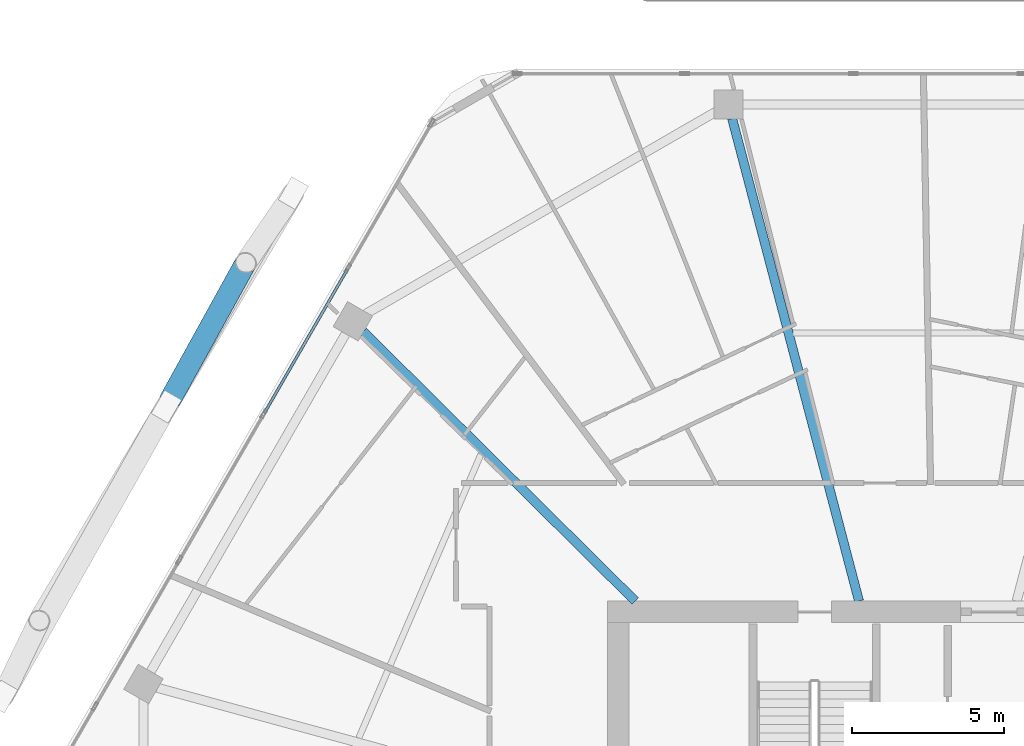
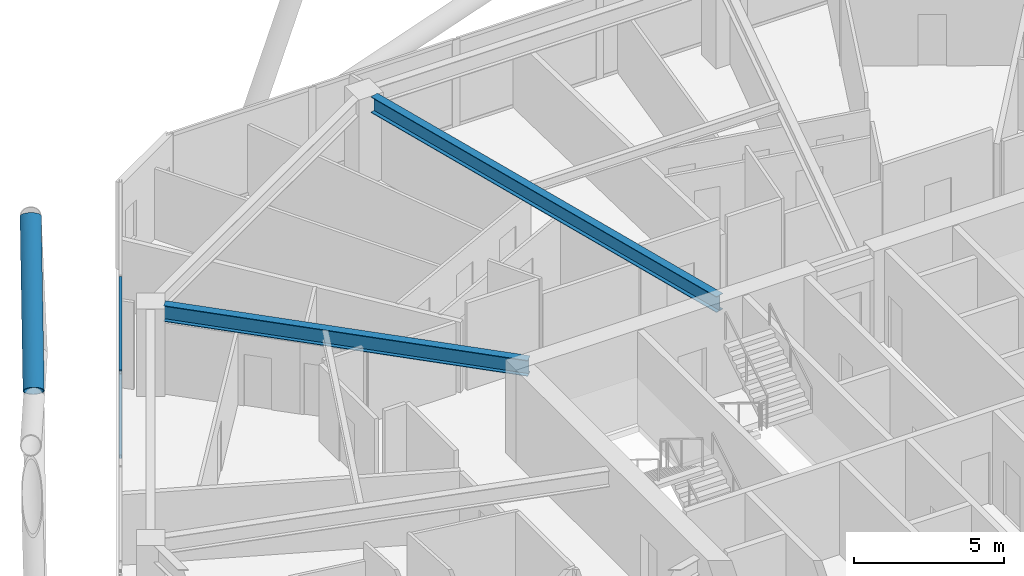
# One storey, part 12 of 29: 3 members, 2 beams, 1 element without a shape of its own.
"""IFC4 building model written with IfcOpenShell, lengths in metres."""

from ifc_helpers import new_model, si_unit, direction, frame, origin, origin_2d, place, context, subcontext, project, spatial, hollow_rectangle, hollow_circle, i_section, extrude, material, material_profile, profile_set, type_object, element, aggregate, save


model = new_model("IFC4")

# Units and contexts
model_context = context("Model", 3, precision=1e-05, world=origin(), true_north=direction((0.0, 1.0)))
body_context = subcontext(model_context, "Body", "Model", "MODEL_VIEW")
ifc_project = project(units=[si_unit("LENGTHUNIT", "METRE"), si_unit("AREAUNIT", "SQUARE_METRE"), si_unit("VOLUMEUNIT", "CUBIC_METRE"), si_unit("PLANEANGLEUNIT", "RADIAN"), si_unit("MASSUNIT", "GRAM", prefix="KILO")], contexts=[model_context])

# Site, building, storey
site_placement = place(None, origin())
site = spatial("IfcSite", under=ifc_project, at=site_placement, CompositionType="ELEMENT")
building_placement = place(site_placement, origin())
building = spatial("IfcBuilding", under=site, at=building_placement, Name="Zuhravey Tower", CompositionType="ELEMENT")
storey_placement = place(building_placement, frame((0.0, 0.0, 192.199951171875)))
storey = spatial("IfcBuildingStorey", under=building, at=storey_placement, Name="L48", CompositionType="ELEMENT", Elevation=192.199951171875)

# Curtain wall, members
ifc_material_1 = material(Name="Thermally broken anodised aluminium", Category="aluminium")
curtain_wall_type = type_object("IfcCurtainWallType", Name="Zone 1-2 Residential Curtain Wall CW3", PredefinedType="NOTDEFINED", material=ifc_material_1)
curtain_wall_placement = place(storey_placement, origin())
curtain_wall = element("IfcCurtainWall", 1, at=curtain_wall_placement, inside=storey, type_object=curtain_wall_type, Name="L48 CW3 CW-L48-F3-1", PredefinedType="NOTDEFINED")
ifc_material_2 = material(Name="Anodised aluminium", Category="aluminium")
ifc_material_profile_1 = material_profile(ifc_material_2, hollow_rectangle(XDim=0.090087890625, YDim=0.14990234375, WallThickness=0.0048828125, at=origin_2d()), Name="ALU-RHS-90x150x5")
ifc_profile_set_1 = profile_set([ifc_material_profile_1], Name="Anodised aluminium")
member_type_1 = type_object("IfcMemberType", Name="Curtain-Wall Transom 90x150", PredefinedType="USERDEFINED", material=ifc_profile_set_1)
member_1_placement = place(storey_placement, frame((13.867431640625, 48.03125, 0.045166015625), z_axis=(0.49996138257, 0.86604769842, 0.0), x_axis=(-0.86604769842, 0.49996138257, 0.0)))
member_1 = element("IfcMember", 2, at=member_1_placement, type_object=member_type_1, Name="CW3 transom 4.1", ObjectType="TRANSOM", PredefinedType="USERDEFINED", context=body_context, shape_type="SweptSolid", body=[
    extrude(hollow_rectangle(XDim=0.090087890625, YDim=0.14990234375, WallThickness=0.0048828125, at=origin_2d()), origin(), (0.0, 0.0, 1.0), 5.45458984375),
])
member_2_placement = place(storey_placement, frame((13.867431640625, 48.03125, 3.505126953125), z_axis=(0.49996138257, 0.86604769842, 0.0), x_axis=(-0.86604769842, 0.49996138257, 0.0)))
member_2 = element("IfcMember", 3, at=member_2_placement, type_object=member_type_1, Name="CW3 transom 4.2", ObjectType="TRANSOM", PredefinedType="USERDEFINED", context=body_context, shape_type="SweptSolid", body=[
    extrude(hollow_rectangle(XDim=0.090087890625, YDim=0.14990234375, WallThickness=0.0048828125, at=origin_2d()), origin(), (0.0, 0.0, 1.0), 5.45458984375),
])
aggregate(curtain_wall, [member_1, member_2])

# Member
ifc_material_3 = material(Name="Steel SM460", Category="steel")
ifc_material_profile_2 = material_profile(ifc_material_3, hollow_circle(Radius=0.355712890625, WallThickness=0.031982421875, at=origin_2d()), Name="CHS-711.2x32")
ifc_profile_set_2 = profile_set([ifc_material_profile_2], Name="Steel SM460")
member_type_2 = type_object("IfcMemberType", Name="Exoskeleton Zone 2 Diagrid CHS711x32", PredefinedType="BRACE", material=ifc_profile_set_2)
member_3_placement = place(storey_placement, frame((10.781494140625, 48.487548828125, 3.534912109375), z_axis=(0.394923124563, 0.715849795564, 0.57584268327), x_axis=(-0.875592421494, 0.483050630289, 0.0)))
element("IfcMember", 4, at=member_3_placement, inside=storey, type_object=member_type_2, Name="L48 Face 3 Split Diagrid Brace 3B", PredefinedType="BRACE", context=body_context, shape_type="SweptSolid", body=[
    extrude(hollow_circle(Radius=0.355712890625, WallThickness=0.031982421875, at=origin_2d()), origin(), (0.0, 0.0, 1.0), 6.2060546875),
])

# Beams
ifc_material_4 = material(Name="Steel SM355", Category="steel")
ifc_material_profile_3 = material_profile(ifc_material_4, i_section(OverallWidth=0.300048828125, OverallDepth=0.64990234375, WebThickness=0.012939453125, FlangeThickness=0.02197265625, at=origin_2d()), Name="H-650x300x13x22")
ifc_profile_set_3 = profile_set([ifc_material_profile_3], Name="Steel SM355")
beam_type = type_object("IfcBeamType", Name="Radial Primary Girder H650x300", PredefinedType="BEAM", material=ifc_profile_set_3)
beam_1_placement = place(storey_placement, frame((33.4091796875, 41.85302734375, 3.22509765625), z_axis=(-0.254299806285, 0.967125435775, 0.0), x_axis=(-0.967125435775, -0.254299806285, 0.0)))
element("IfcBeam", 5, at=beam_1_placement, inside=storey, type_object=beam_type, Name="L48 RG2 BM-L48-RAD-04", PredefinedType="BEAM", context=body_context, shape_type="SweptSolid", body=[
    extrude(i_section(OverallWidth=0.300048828125, OverallDepth=0.64990234375, WebThickness=0.012939453125, FlangeThickness=0.02197265625, at=origin_2d()), origin(), (0.0, 0.0, 1.0), 16.396728515625),
])
beam_2_placement = place(storey_placement, frame((26.054443359375, 41.85302734375, 3.22509765625), z_axis=(-0.710406645816, 0.703791444663, 0.0), x_axis=(-0.703791444663, -0.710406645816, 0.0)))
element("IfcBeam", 6, at=beam_2_placement, inside=storey, type_object=beam_type, Name="L48 RG2 BM-L48-RAD-05", PredefinedType="BEAM", context=body_context, shape_type="SweptSolid", body=[
    extrude(i_section(OverallWidth=0.300048828125, OverallDepth=0.64990234375, WebThickness=0.012939453125, FlangeThickness=0.02197265625, at=origin_2d()), origin(), (0.0, 0.0, 1.0), 12.5849609375),
])

save(model, "model.ifc")
